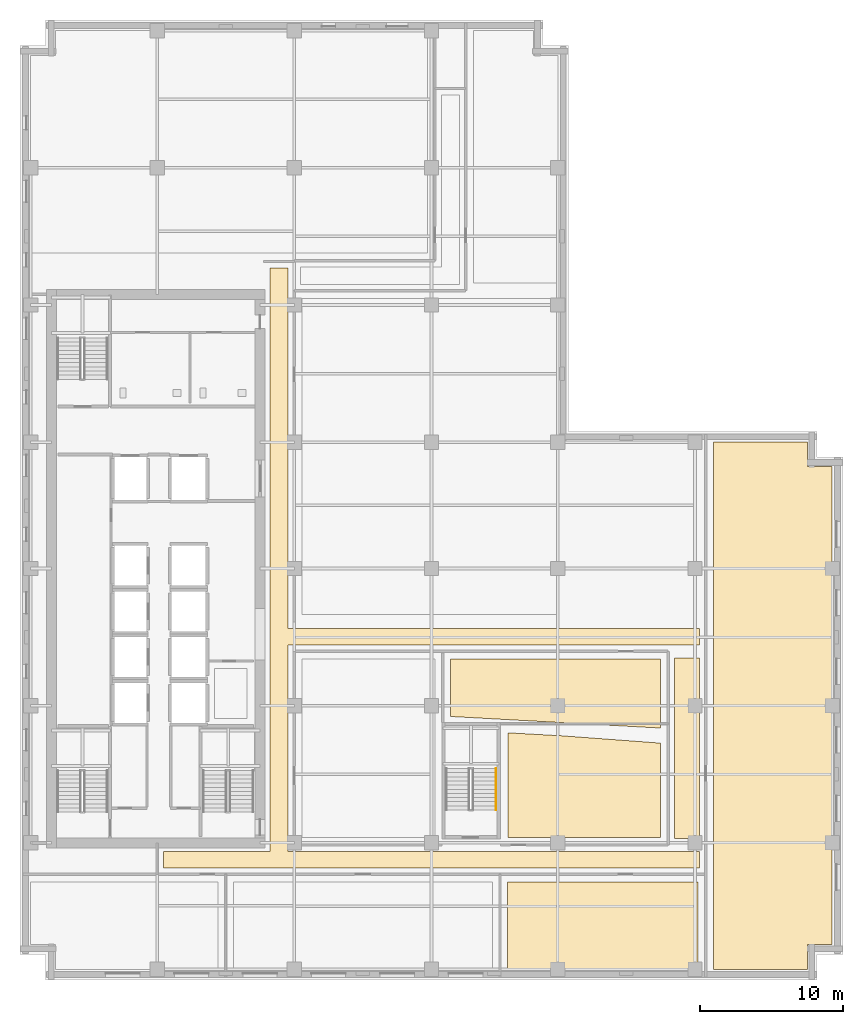
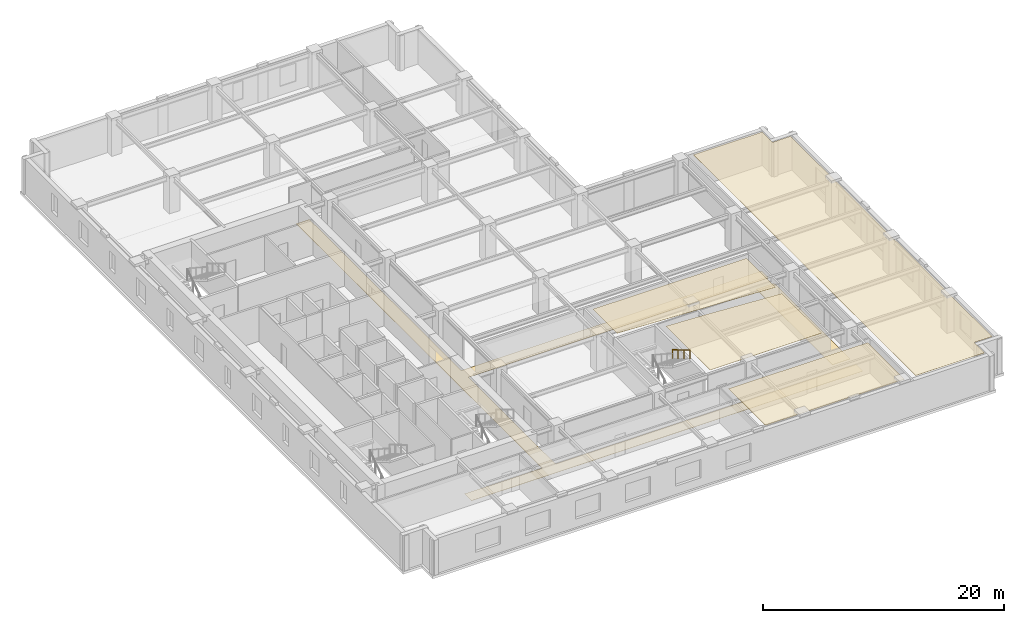
# One storey, part 9 of 12: 6 coverings, 1 railing.
"""IFC4 building model written with IfcOpenShell, lengths in metres."""

from ifc_helpers import new_model, si_unit, direction, frame, origin, origin_2d, place, context, subcontext, project, spatial, polyline, circle, outline, extrude, material, layer, layer_set, type_object, element, save


model = new_model("IFC4")

# Units and contexts
model_context = context("Model", 3, precision=1e-05, world=origin(), true_north=direction((0.0, 1.0)))
body_context = subcontext(model_context, "Body", "Model", "MODEL_VIEW")
ifc_project = project(units=[si_unit("LENGTHUNIT", "METRE"), si_unit("AREAUNIT", "SQUARE_METRE"), si_unit("VOLUMEUNIT", "CUBIC_METRE"), si_unit("PLANEANGLEUNIT", "RADIAN"), si_unit("MASSUNIT", "GRAM", prefix="KILO")], contexts=[model_context])

# Site, building, storey
site_placement = place(None, origin())
site = spatial("IfcSite", under=ifc_project, at=site_placement, CompositionType="ELEMENT")
building_placement = place(site_placement, origin())
building = spatial("IfcBuilding", under=site, at=building_placement, Name="Norrvale University Quadrangle", CompositionType="ELEMENT")
storey_placement = place(building_placement, frame((0.0, 0.0, 143.199951171875)))
storey = spatial("IfcBuildingStorey", under=building, at=storey_placement, Name="L36", CompositionType="ELEMENT", Elevation=143.199951171875)

# Coverings
ifc_material_1 = material(Name="Perforated Acoustic Mineral Ceiling")
ifc_layer_1 = layer(ifc_material_1, 0.02490234375, Name="Perforated Acoustic Mineral Ceiling")
ifc_layer_set_1 = layer_set([ifc_layer_1], Name="Perforated Acoustic Mineral Ceiling")
covering_type_1 = type_object("IfcCoveringType", Name="Covering Acoustic Ceiling 25", PredefinedType="CEILING", material=ifc_layer_set_1)
covering_1_placement = place(storey_placement, frame((0.0, 0.0, 3.51513671875)))
element("IfcCovering", 1, at=covering_1_placement, inside=storey, type_object=covering_type_1, Name="Acoustic Ceiling RM-L36-S03", PredefinedType="CEILING", context=body_context, shape_type="SweptSolid", body=[
    extrude(outline(polyline([(34.1298828125, 6.8701171875), (47.469970703125, 6.8701171875), (47.469970703125, 0.75), (34.1298828125, 0.75), (34.1298828125, 6.8701171875)])), origin(), (0.0, 0.0, 1.0), 0.02490234375),
])
covering_2_placement = place(storey_placement, frame((0.0, 0.0, 3.51513671875)))
element("IfcCovering", 2, at=covering_2_placement, inside=storey, type_object=covering_type_1, Name="Acoustic Ceiling RM-L36-E01", PredefinedType="CEILING", context=body_context, shape_type="SweptSolid", body=[
    extrude(outline(polyline([(48.530029296875, 0.75), (48.530029296875, 37.64990234375), (55.1298828125, 37.64990234375), (55.1298828125, 35.929931640625), (56.85009765625, 35.929931640625), (56.85009765625, 2.469970703125), (55.1298828125, 2.469970703125), (55.1298828125, 0.75), (48.530029296875, 0.75)])), origin(), (0.0, 0.0, 1.0), 0.02490234375),
])
covering_3_placement = place(storey_placement, frame((0.0, 0.0, 3.51513671875)))
element("IfcCovering", 3, at=covering_3_placement, inside=storey, type_object=covering_type_1, Name="Acoustic Ceiling RM-L36-ILH", PredefinedType="CEILING", context=body_context, shape_type="SweptSolid", body=[
    extrude(outline(polyline([(30.1298828125, 18.446044921875), (30.1298828125, 22.469970703125), (44.844970703125, 22.469970703125), (44.844970703125, 17.635009765625), (30.1298828125, 18.446044921875)])), origin(), (0.0, 0.0, 1.0), 0.02490234375),
])
covering_4_placement = place(storey_placement, frame((0.0, 0.0, 3.51513671875)))
element("IfcCovering", 4, at=covering_4_placement, inside=storey, type_object=covering_type_1, Name="Acoustic Ceiling RM-L36-ISE", PredefinedType="CEILING", context=body_context, shape_type="SweptSolid", body=[
    extrude(outline(polyline([(44.844970703125, 16.58203125), (44.844970703125, 9.97998046875), (34.14990234375, 9.97998046875), (34.14990234375, 17.303955078125), (37.93603515625, 17.094970703125), (44.844970703125, 16.58203125)])), origin(), (0.0, 0.0, 1.0), 0.02490234375),
])
ifc_material_2 = material(Name="Polished Terrazzo Flooring")
ifc_layer_2 = layer(ifc_material_2, 0.02490234375, Name="Polished Terrazzo Flooring")
ifc_layer_set_2 = layer_set([ifc_layer_2], Name="Polished Terrazzo Flooring")
covering_type_2 = type_object("IfcCoveringType", Name="Covering Terrazzo Floor 30", PredefinedType="FLOORING", material=ifc_layer_set_2)
covering_5_placement = place(storey_placement, origin())
element("IfcCovering", 5, at=covering_5_placement, inside=storey, type_object=covering_type_2, Name="Terrazzo Flooring RM-L36-CORR1", PredefinedType="FLOORING", context=body_context, shape_type="SweptSolid", body=[
    extrude(outline(polyline([(10.050048828125, 7.85009765625), (10.050048828125, 9.0), (17.5, 9.0), (17.5, 49.85009765625), (18.75, 49.85009765625), (18.75, 24.60009765625), (47.550048828125, 24.60009765625), (47.550048828125, 23.449951171875), (18.75, 23.449951171875), (18.75, 9.0), (47.550048828125, 9.0), (47.550048828125, 7.85009765625), (10.050048828125, 7.85009765625)])), origin(), (0.0, 0.0, 1.0), 0.025146484375),
])
covering_6_placement = place(storey_placement, origin())
element("IfcCovering", 6, at=covering_6_placement, inside=storey, type_object=covering_type_2, Name="Terrazzo Flooring RM-L36-CORR2", PredefinedType="FLOORING", context=body_context, shape_type="SweptSolid", body=[
    extrude(outline(polyline([(45.824951171875, 9.89990234375), (45.824951171875, 22.550048828125), (47.550048828125, 22.550048828125), (47.550048828125, 9.89990234375), (45.824951171875, 9.89990234375)])), origin(), (0.0, 0.0, 1.0), 0.025146484375),
])

# Railing
ifc_material_3 = material(Name="Stainless Steel 316L Handrail", Category="steel")
railing_type = type_object("IfcRailingType", Name="Railing Stair Handrail 920", PredefinedType="HANDRAIL", material=ifc_material_3)
railing_placement = place(storey_placement, frame((33.31005859375, 14.800048828125, 2.07275390625)))
element("IfcRailing", 7, at=railing_placement, inside=storey, type_object=railing_type, Name="Stair Upper Flight Handrail ST-04 L36", PredefinedType="HANDRAIL", context=body_context, shape_type="SweptSolid", body=[
    extrude(circle(Radius=0.02392578125, at=origin_2d()), frame((0.0, 0.0, 0.89599609375), z_axis=(0.0, -0.859160404282, 0.51170636083), x_axis=(1.0, 0.0, 0.0)), (0.0, 0.0, 1.0), 3.37548828125),
    extrude(circle(Radius=0.02099609375, at=origin_2d()), origin(), (0.0, 0.0, 1.0), 0.871826171875),
    extrude(circle(Radius=0.02099609375, at=origin_2d()), frame((0.0, -0.966796875, 0.57568359375)), (0.0, 0.0, 1.0), 0.871826171875),
    extrude(circle(Radius=0.02099609375, at=origin_2d()), frame((0.0, -1.933349609375, 1.151611328125)), (0.0, 0.0, 1.0), 0.871826171875),
    extrude(circle(Radius=0.02099609375, at=origin_2d()), frame((0.0, -2.900146484375, 1.727294921875)), (0.0, 0.0, 1.0), 0.871826171875),
])

save(model, "model.ifc")
